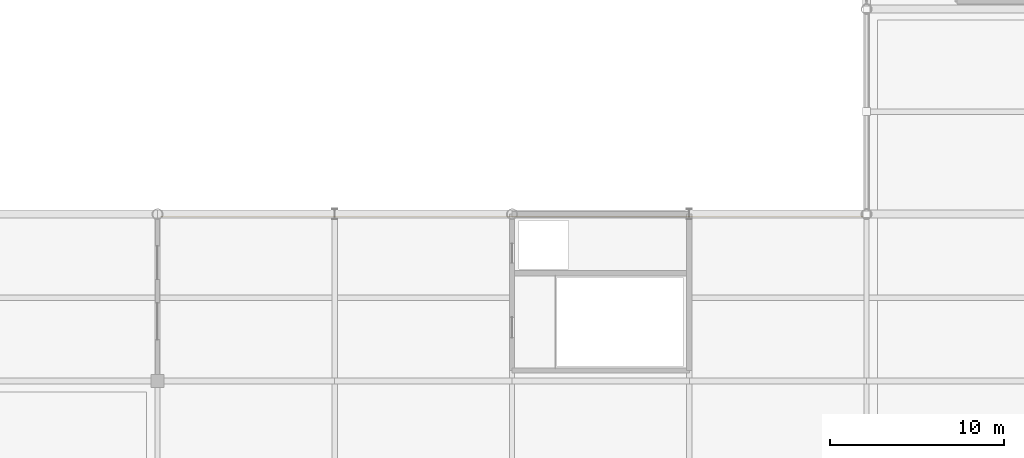
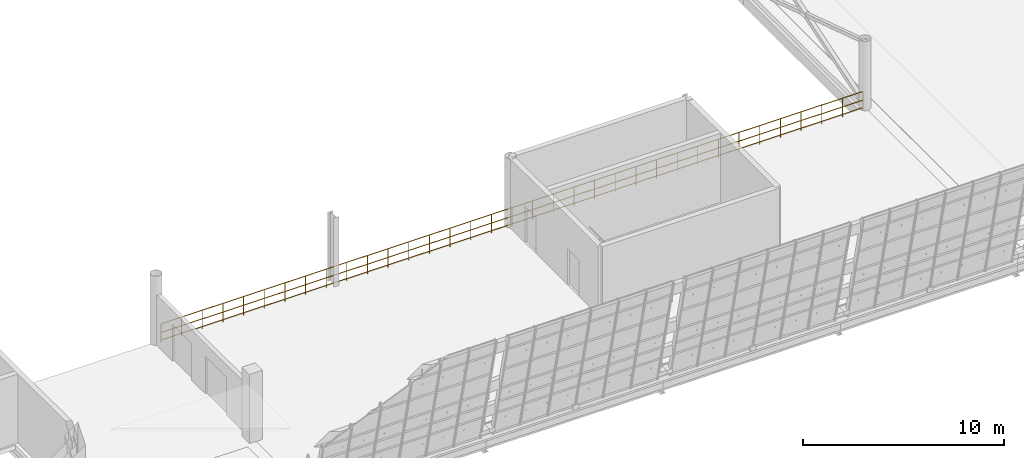
# One storey, part 148 of 157: 1 railing.
"""IFC4 building model written with IfcOpenShell, lengths in metres."""

import ifcopenshell
import ifcopenshell.guid

model = None  # the IFC model being written
_history = None  # IfcOwnerHistory: only IFC2X3 demands one
_inside = {}  # id of a spatial element -> (the spatial element, [elements in it])
_under = {}  # id of a project, library or spatial element -> (it, [spatial elements below it])
_declared = {}  # id of a project -> (the project, [libraries it declares])
_typed = {}  # id of a type object -> (the type object, [elements of that type])
_made_of = {}  # id of a material, layer set ... -> (it, [elements and type objects made of it])


def new_model(schema):
    """Start an empty IFC model of exactly this schema.

    Asked for "IFC4X3", IfcOpenShell would pick the latest addendum, in which some entities
    have other attributes; the version numbers below select the first issue.
    IFC2X3 requires an IfcOwnerHistory on every rooted entity: one is made here for all.
    """
    global model, _history
    if schema == "IFC4X3":
        model = ifcopenshell.file(schema_version=(4, 3, 0, 0))
    else:
        model = ifcopenshell.file(schema=schema)
    _inside.clear()
    _under.clear()
    _declared.clear()
    _typed.clear()
    _made_of.clear()
    _history = None
    if model.schema == "IFC2X3":
        org = make("IfcOrganization", Name="unknown")
        user = make(
            "IfcPersonAndOrganization",
            ThePerson=make("IfcPerson", FamilyName="unknown"),
            TheOrganization=org,
        )
        app = make(
            "IfcApplication",
            ApplicationDeveloper=org,
            Version="unknown",
            ApplicationFullName="unknown",
            ApplicationIdentifier="unknown",
        )
        _history = make(
            "IfcOwnerHistory",
            OwningUser=user,
            OwningApplication=app,
            ChangeAction="ADDED",
            CreationDate=0,
        )
    return model


def make(cls, **values):
    """One entity of the class cls with the attributes given. An attribute that is None is left unset."""
    return model.create_entity(
        cls, **{name: value for name, value in values.items() if value is not None}
    )


def rooted(cls, **values):
    """An entity with a GlobalId (a new one), such as an element, a storey or a relation."""
    return make(cls, GlobalId=ifcopenshell.guid.new(), OwnerHistory=_history, **values)


def si_unit(unit_type, name, prefix=None):
    """IfcSIUnit, for example si_unit("LENGTHUNIT", "METRE", prefix="MILLI")."""
    return make("IfcSIUnit", UnitType=unit_type, Prefix=prefix, Name=name)


def assignment(units):
    """IfcUnitAssignment: the units of a project."""
    return None if units is None else make("IfcUnitAssignment", Units=units)


def point(xyz):
    """IfcCartesianPoint."""
    return None if xyz is None else make("IfcCartesianPoint", Coordinates=xyz)


def direction(xyz):
    """IfcDirection."""
    return None if xyz is None else make("IfcDirection", DirectionRatios=xyz)


def frame(location, z_axis=None, x_axis=None):
    """IfcAxis2Placement3D, a coordinate frame: its origin and axes. An axis left out is left unset."""
    return make(
        "IfcAxis2Placement3D",
        Location=point(location),
        Axis=direction(z_axis),
        RefDirection=direction(x_axis),
    )


def frame_2d(location, x_axis=None):
    """IfcAxis2Placement2D, a coordinate frame in the plane: its origin and x axis."""
    return make(
        "IfcAxis2Placement2D", Location=point(location), RefDirection=direction(x_axis)
    )


def origin():
    """The frame at (0, 0, 0) with its axes left unset."""
    return frame((0.0, 0.0, 0.0))


def origin_2d():
    """The frame at (0, 0) in the plane with its x axis left unset."""
    return frame_2d((0.0, 0.0))


def place(relative_to, where):
    """IfcLocalPlacement: puts the frame where relative to a parent placement (None: the world)."""
    return make(
        "IfcLocalPlacement", PlacementRelTo=relative_to, RelativePlacement=where
    )


def context(
    kind, dimensions, precision=None, world=None, true_north=None, identifier=None
):
    """IfcGeometricRepresentationContext, for example the 3D "Model" context."""
    return make(
        "IfcGeometricRepresentationContext",
        ContextIdentifier=identifier,
        ContextType=kind,
        CoordinateSpaceDimension=dimensions,
        Precision=precision,
        WorldCoordinateSystem=world,
        TrueNorth=true_north,
    )


def subcontext(parent, identifier, kind, view, scale=None):
    """IfcGeometricRepresentationSubContext, for example "Body" below "Model"."""
    return make(
        "IfcGeometricRepresentationSubContext",
        ContextIdentifier=identifier,
        ContextType=kind,
        ParentContext=parent,
        TargetScale=scale,
        TargetView=view,
    )


def project(units=None, contexts=None):
    """IfcProject with its units and contexts."""
    return rooted(
        "IfcProject",
        Name="project",
        RepresentationContexts=contexts,
        UnitsInContext=assignment(units),
    )


def spatial(cls, under=None, at=None, **own):
    """A site, building, storey or space (cls), placed at a placement, below another one or the project."""
    s = rooted(cls, ObjectPlacement=at, **own)
    if under is not None:
        _under.setdefault(under.id(), (under, []))[1].append(s)
    return s


def profile(cls, at=None, kind="AREA", **sizes):
    """A parametric profile (cls). Its sizes go by their IFC names, for example OverallWidth=200.0."""
    return make(cls, ProfileType=kind, Position=at, **sizes)


def circle(**sizes):
    """IfcCircleProfileDef."""
    return profile("IfcCircleProfileDef", **sizes)


def extrude(swept, where, along, depth):
    """IfcExtrudedAreaSolid: the profile swept, set in the frame where, extruded along a direction by depth."""
    return make(
        "IfcExtrudedAreaSolid",
        SweptArea=swept,
        Position=where,
        ExtrudedDirection=direction(along),
        Depth=depth,
    )


def shape(context_of_items, identifier, shape_type, items):
    """IfcShapeRepresentation: the items that make up one representation, for example the "Body"."""
    return make(
        "IfcShapeRepresentation",
        ContextOfItems=context_of_items,
        RepresentationIdentifier=identifier,
        RepresentationType=shape_type,
        Items=items,
    )


def material(Name=None, Category=None):
    """IfcMaterial."""
    return make("IfcMaterial", Name=Name, Category=Category)


def made_of(thing, what):
    """Note that an element or type object is made of a material, layer set ...; save() writes the relation."""
    if what is not None:
        _made_of.setdefault(what.id(), (what, []))[1].append(thing)
    return thing


def type_object(cls, material=None, **own):
    """A type object (cls), such as IfcWallType, which elements share."""
    return made_of(rooted(cls, **own), material)


def element(
    cls,
    number,
    at=None,
    inside=None,
    cuts=None,
    type_object=None,
    material=None,
    context=None,
    identifier="Body",
    shape_type=None,
    held_by="IfcProductDefinitionShape",
    body=None,
    shapes=None,
    **own,
):
    """One element of the class cls, such as IfcWall. Its Tag is "e" and its number.

    at: its placement. inside: the storey or other place that contains it. cuts: it is an
    opening in that element (IfcRelVoidsElement). A single representation is given by context,
    identifier, shape_type and body (its items); several are given by shapes. held_by: the class
    of the entity that holds the representations. save() writes the other relations.
    """
    e = rooted(cls, Tag="e%d" % number, ObjectPlacement=at, **own)
    if body is not None:
        shapes = [shape(context, identifier, shape_type, body)]
    if shapes is not None:
        e.Representation = make(held_by, Representations=shapes)
    if inside is not None:
        _inside.setdefault(inside.id(), (inside, []))[1].append(e)
    if cuts is not None:
        rooted(
            "IfcRelVoidsElement", RelatingBuildingElement=cuts, RelatedOpeningElement=e
        )
    if type_object is not None:
        _typed.setdefault(type_object.id(), (type_object, []))[1].append(e)
    return made_of(e, material)


def aggregate(whole, parts):
    """IfcRelAggregates: a whole, such as a stair, and the parts it consists of."""
    return rooted("IfcRelAggregates", RelatingObject=whole, RelatedObjects=parts)


def save(model, path):
    """Write the relations noted so far, then the file.

    IfcRelAggregates (storeys below a building ...), IfcRelContainedInSpatialStructure (elements
    in a storey), IfcRelDefinesByType, IfcRelAssociatesMaterial and IfcRelDeclares: one each for
    every whole, place, type object, material and project.
    """
    for whole, parts in _under.values():
        aggregate(whole, parts)
    for where, things in _inside.values():
        rooted(
            "IfcRelContainedInSpatialStructure",
            RelatedElements=things,
            RelatingStructure=where,
        )
    for kind, things in _typed.values():
        rooted("IfcRelDefinesByType", RelatedObjects=things, RelatingType=kind)
    for what, things in _made_of.values():
        rooted("IfcRelAssociatesMaterial", RelatedObjects=things, RelatingMaterial=what)
    for by, libraries in _declared.values():
        rooted("IfcRelDeclares", RelatingContext=by, RelatedDefinitions=libraries)
    model.write(path)


model = new_model("IFC4")

# Units and contexts
model_context = context("Model", 3, precision=1e-05, world=origin(), true_north=direction((0.0, 1.0)))
body_context = subcontext(model_context, "Body", "Model", "MODEL_VIEW")
ifc_project = project(units=[si_unit("LENGTHUNIT", "METRE"), si_unit("AREAUNIT", "SQUARE_METRE"), si_unit("VOLUMEUNIT", "CUBIC_METRE"), si_unit("PLANEANGLEUNIT", "RADIAN"), si_unit("MASSUNIT", "GRAM", prefix="KILO")], contexts=[model_context])

# Site, building, storey
site_placement = place(None, origin())
site = spatial("IfcSite", under=ifc_project, at=site_placement, CompositionType="ELEMENT")
building_placement = place(site_placement, origin())
building = spatial("IfcBuilding", under=site, at=building_placement, Name="Brelvane Convention Centre", CompositionType="ELEMENT")
storey_placement = place(building_placement, frame((0.0, 0.0, 10.800048828125)))
storey = spatial("IfcBuildingStorey", under=building, at=storey_placement, Name="L02", CompositionType="ELEMENT", Elevation=10.800048828125)

# Railing
ifc_material = material(Name="Steel E350 (350 MPa)", Category="steel")
railing_type = type_object("IfcRailingType", Name="Railing GR-EXT-1", PredefinedType="GUARDRAIL", material=ifc_material)
railing_placement = place(storey_placement, frame((102.199951171875, 28.64990234375, 0.0)))
element("IfcRailing", 1, at=railing_placement, inside=storey, type_object=railing_type, Name="Railing GR-EXT-1 L02-rg_conc_n", PredefinedType="GUARDRAIL", context=body_context, shape_type="SweptSolid", body=[
    extrude(circle(Radius=0.02392578125, at=origin_2d()), frame((0.0, 0.0, 1.1259765625), z_axis=(1.0, 0.0, 0.0), x_axis=(0.0, 1.0, 0.0)), (0.0, 0.0, 1.0), 40.400146484375),
    extrude(circle(Radius=0.02392578125, at=origin_2d()), frame((0.0, 0.0, 0.597900390625), z_axis=(1.0, 0.0, 0.0), x_axis=(0.0, 1.0, 0.0)), (0.0, 0.0, 1.0), 40.400146484375),
    extrude(circle(Radius=0.02392578125, at=origin_2d()), frame((0.0, 0.0, 0.139892578125), z_axis=(1.0, 0.0, 0.0), x_axis=(0.0, 1.0, 0.0)), (0.0, 0.0, 1.0), 40.400146484375),
    extrude(circle(Radius=0.02099609375, at=origin_2d()), origin(), (0.0, 0.0, 1.0), 1.101806640625),
    extrude(circle(Radius=0.02099609375, at=origin_2d()), frame((1.188232421875, 0.0, 0.0)), (0.0, 0.0, 1.0), 1.101806640625),
    extrude(circle(Radius=0.02099609375, at=origin_2d()), frame((2.37646484375, 0.0, 0.0)), (0.0, 0.0, 1.0), 1.101806640625),
    extrude(circle(Radius=0.02099609375, at=origin_2d()), frame((3.564697265625, 0.0, 0.0)), (0.0, 0.0, 1.0), 1.101806640625),
    extrude(circle(Radius=0.02099609375, at=origin_2d()), frame((4.7529296875, 0.0, 0.0)), (0.0, 0.0, 1.0), 1.101806640625),
    extrude(circle(Radius=0.02099609375, at=origin_2d()), frame((5.941162109375, 0.0, 0.0)), (0.0, 0.0, 1.0), 1.101806640625),
    extrude(circle(Radius=0.02099609375, at=origin_2d()), frame((7.12939453125, 0.0, 0.0)), (0.0, 0.0, 1.0), 1.101806640625),
    extrude(circle(Radius=0.02099609375, at=origin_2d()), frame((8.317626953125, 0.0, 0.0)), (0.0, 0.0, 1.0), 1.101806640625),
    extrude(circle(Radius=0.02099609375, at=origin_2d()), frame((9.505859375, 0.0, 0.0)), (0.0, 0.0, 1.0), 1.101806640625),
    extrude(circle(Radius=0.02099609375, at=origin_2d()), frame((10.694091796875, 0.0, 0.0)), (0.0, 0.0, 1.0), 1.101806640625),
    extrude(circle(Radius=0.02099609375, at=origin_2d()), frame((11.88232421875, 0.0, 0.0)), (0.0, 0.0, 1.0), 1.101806640625),
    extrude(circle(Radius=0.02099609375, at=origin_2d()), frame((13.070556640625, 0.0, 0.0)), (0.0, 0.0, 1.0), 1.101806640625),
    extrude(circle(Radius=0.02099609375, at=origin_2d()), frame((14.2587890625, 0.0, 0.0)), (0.0, 0.0, 1.0), 1.101806640625),
    extrude(circle(Radius=0.02099609375, at=origin_2d()), frame((15.447021484375, 0.0, 0.0)), (0.0, 0.0, 1.0), 1.101806640625),
    extrude(circle(Radius=0.02099609375, at=origin_2d()), frame((16.63525390625, 0.0, 0.0)), (0.0, 0.0, 1.0), 1.101806640625),
    extrude(circle(Radius=0.02099609375, at=origin_2d()), frame((17.823486328125, 0.0, 0.0)), (0.0, 0.0, 1.0), 1.101806640625),
    extrude(circle(Radius=0.02099609375, at=origin_2d()), frame((19.01171875, 0.0, 0.0)), (0.0, 0.0, 1.0), 1.101806640625),
    extrude(circle(Radius=0.02099609375, at=origin_2d()), frame((20.2001953125, 0.0, 0.0)), (0.0, 0.0, 1.0), 1.101806640625),
    extrude(circle(Radius=0.02099609375, at=origin_2d()), frame((21.388427734375, 0.0, 0.0)), (0.0, 0.0, 1.0), 1.101806640625),
    extrude(circle(Radius=0.02099609375, at=origin_2d()), frame((22.57666015625, 0.0, 0.0)), (0.0, 0.0, 1.0), 1.101806640625),
    extrude(circle(Radius=0.02099609375, at=origin_2d()), frame((23.764892578125, 0.0, 0.0)), (0.0, 0.0, 1.0), 1.101806640625),
    extrude(circle(Radius=0.02099609375, at=origin_2d()), frame((24.953125, 0.0, 0.0)), (0.0, 0.0, 1.0), 1.101806640625),
    extrude(circle(Radius=0.02099609375, at=origin_2d()), frame((26.141357421875, 0.0, 0.0)), (0.0, 0.0, 1.0), 1.101806640625),
    extrude(circle(Radius=0.02099609375, at=origin_2d()), frame((27.32958984375, 0.0, 0.0)), (0.0, 0.0, 1.0), 1.101806640625),
    extrude(circle(Radius=0.02099609375, at=origin_2d()), frame((28.517822265625, 0.0, 0.0)), (0.0, 0.0, 1.0), 1.101806640625),
    extrude(circle(Radius=0.02099609375, at=origin_2d()), frame((29.7060546875, 0.0, 0.0)), (0.0, 0.0, 1.0), 1.101806640625),
    extrude(circle(Radius=0.02099609375, at=origin_2d()), frame((30.894287109375, 0.0, 0.0)), (0.0, 0.0, 1.0), 1.101806640625),
    extrude(circle(Radius=0.02099609375, at=origin_2d()), frame((32.08251953125, 0.0, 0.0)), (0.0, 0.0, 1.0), 1.101806640625),
    extrude(circle(Radius=0.02099609375, at=origin_2d()), frame((33.270751953125, 0.0, 0.0)), (0.0, 0.0, 1.0), 1.101806640625),
    extrude(circle(Radius=0.02099609375, at=origin_2d()), frame((34.458984375, 0.0, 0.0)), (0.0, 0.0, 1.0), 1.101806640625),
    extrude(circle(Radius=0.02099609375, at=origin_2d()), frame((35.647216796875, 0.0, 0.0)), (0.0, 0.0, 1.0), 1.101806640625),
    extrude(circle(Radius=0.02099609375, at=origin_2d()), frame((36.83544921875, 0.0, 0.0)), (0.0, 0.0, 1.0), 1.101806640625),
    extrude(circle(Radius=0.02099609375, at=origin_2d()), frame((38.023681640625, 0.0, 0.0)), (0.0, 0.0, 1.0), 1.101806640625),
    extrude(circle(Radius=0.02099609375, at=origin_2d()), frame((39.2119140625, 0.0, 0.0)), (0.0, 0.0, 1.0), 1.101806640625),
    extrude(circle(Radius=0.02099609375, at=origin_2d()), frame((40.400146484375, 0.0, 0.0)), (0.0, 0.0, 1.0), 1.101806640625),
])

save(model, "model.ifc")
